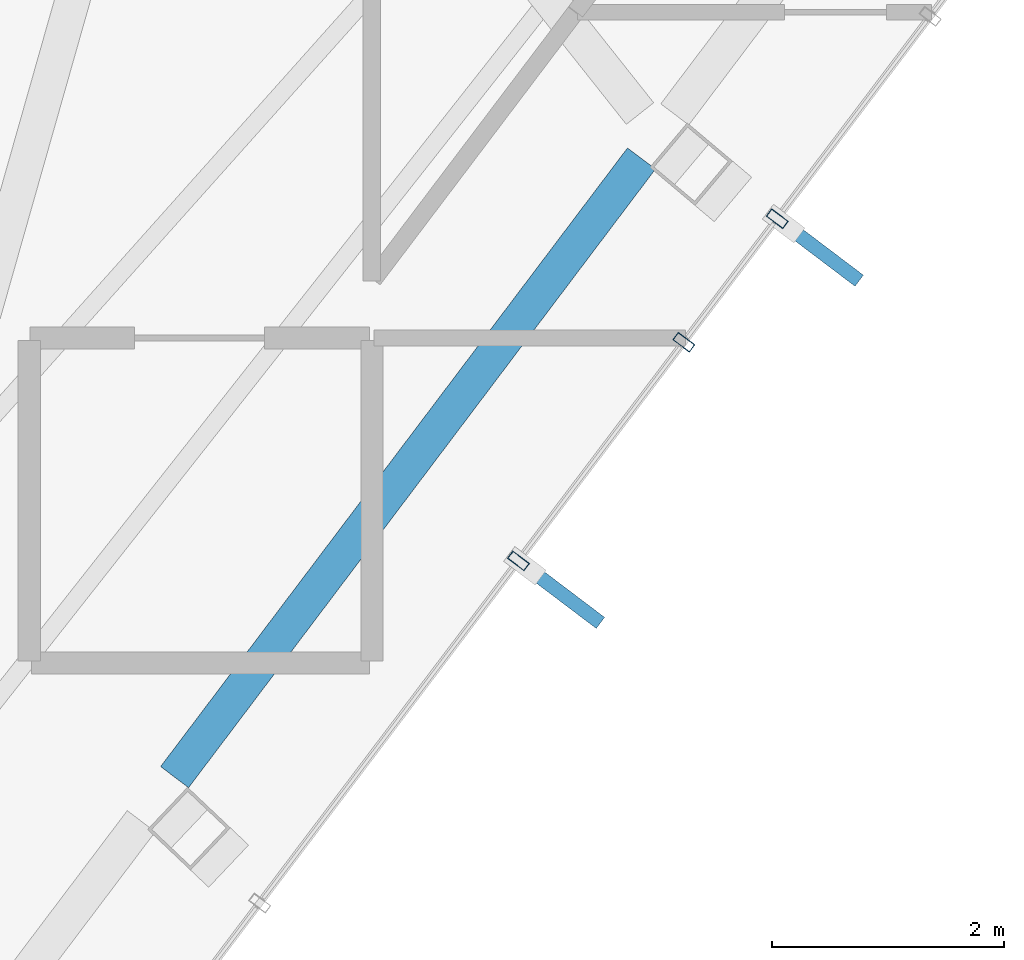
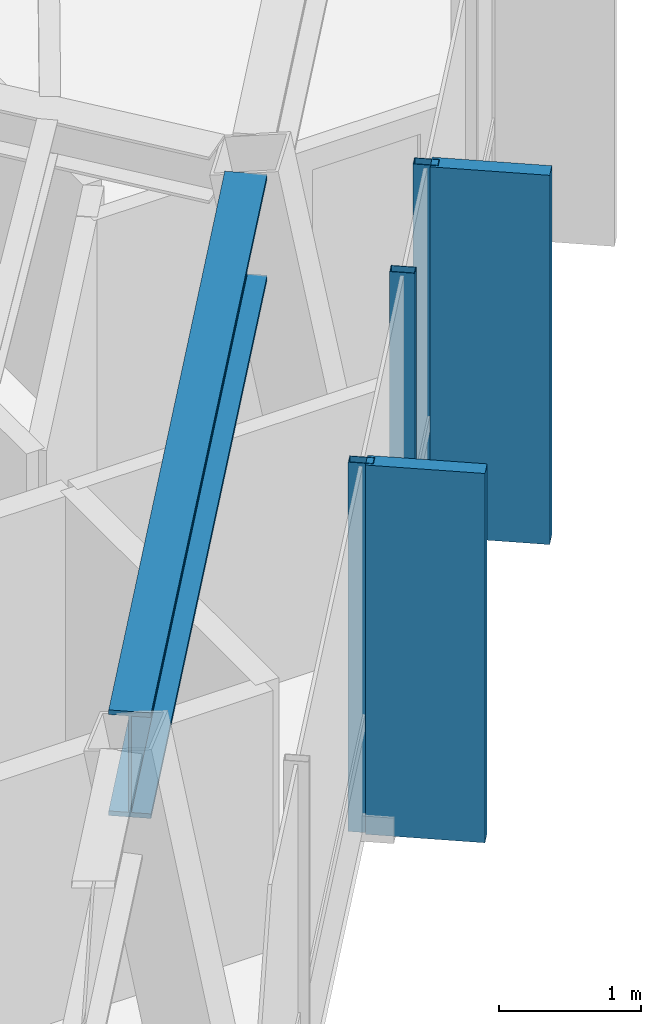
# One storey, part 16 of 25: 5 members, 1 beam, 1 element without a shape of its own.
"""IFC4 building model written with IfcOpenShell, lengths in metres."""

from ifc_helpers import new_model, si_unit, direction, frame, origin, origin_2d, place, context, subcontext, project, spatial, rectangle, hollow_rectangle, i_section, extrude, material, layer, layer_set, material_profile, profile_set, type_object, element, aggregate, save


model = new_model("IFC4")

# Units and contexts
model_context = context("Model", 3, precision=1e-05, world=origin(), true_north=direction((0.0, 1.0)))
body_context = subcontext(model_context, "Body", "Model", "MODEL_VIEW")
ifc_project = project(units=[si_unit("LENGTHUNIT", "METRE"), si_unit("AREAUNIT", "SQUARE_METRE"), si_unit("VOLUMEUNIT", "CUBIC_METRE"), si_unit("PLANEANGLEUNIT", "RADIAN"), si_unit("MASSUNIT", "GRAM", prefix="KILO")], contexts=[model_context])

# Site, building, storey
site_placement = place(None, origin())
site = spatial("IfcSite", under=ifc_project, at=site_placement, CompositionType="ELEMENT")
building_placement = place(site_placement, origin())
building = spatial("IfcBuilding", under=site, at=building_placement, Name="Zarrinselat Tower", CompositionType="ELEMENT")
storey_placement = place(building_placement, frame((0.0, 0.0, 275.39990234375)))
storey = spatial("IfcBuildingStorey", under=building, at=storey_placement, Name="L70", CompositionType="ELEMENT", Elevation=275.39990234375)

# Beam
ifc_material_1 = material(Name="Steel S460M", Category="steel")
ifc_material_profile_1 = material_profile(ifc_material_1, i_section(OverallWidth=0.302001953125, OverallDepth=0.909912109375, WebThickness=0.02099609375, FlangeThickness=0.0400390625, at=origin_2d()), Name="HEM 900")
ifc_profile_set_1 = profile_set([ifc_material_profile_1], Name="Steel S460M")
beam_type = type_object("IfcBeamType", Name="BM-HEM900", PredefinedType="BEAM", material=ifc_profile_set_1)
beam_placement = place(storey_placement, frame((46.6513671875, 26.367919921875, 2.72509765625), z_axis=(0.602442952079, 0.798161944401, 0.0), x_axis=(-0.798161944401, 0.602442952079, 0.0)))
element("IfcBeam", 1, at=beam_placement, inside=storey, type_object=beam_type, Name="L70 Perimeter Spandrel Girder SP12", PredefinedType="BEAM", context=body_context, shape_type="SweptSolid", body=[
    extrude(i_section(OverallWidth=0.302001953125, OverallDepth=0.909912109375, WebThickness=0.02099609375, FlangeThickness=0.0400390625, at=origin_2d()), origin(), (0.0, 0.0, 1.0), 6.676025390625),
])

# Curtain wall, members
ifc_material_2 = material(Name="Extruded Aluminium Alloy EN AW-6063 T6", Category="aluminium")
ifc_layer = layer(ifc_material_2, 0.199951171875)
ifc_layer_set = layer_set([ifc_layer], Name="Extruded Aluminium Alloy EN AW-6063 T6")
curtain_wall_type = type_object("IfcCurtainWallType", Name="CWS-BLADE", PredefinedType="NOTDEFINED", material=ifc_layer_set)
curtain_wall_placement = place(storey_placement, origin())
curtain_wall = element("IfcCurtainWall", 2, at=curtain_wall_placement, inside=storey, type_object=curtain_wall_type, Name="L70 Unitised Curtain Wall CW-L70-E05", PredefinedType="NOTDEFINED")
ifc_material_3 = material(Name="Extruded Aluminium Alloy EN AW-6063 T6", Category="aluminium")
ifc_material_profile_2 = material_profile(ifc_material_3, hollow_rectangle(XDim=0.080078125, YDim=0.179931640625, WallThickness=0.0048828125, at=origin_2d()), Name="RHS 180x80x5")
ifc_profile_set_2 = profile_set([ifc_material_profile_2], Name="Extruded Aluminium Alloy EN AW-6063 T6")
member_type_1 = type_object("IfcMemberType", Name="MEM-CW-MUL", PredefinedType="MULLION", material=ifc_profile_set_2)
member_1_placement = place(storey_placement, frame((49.61376953125, 28.230224609375, 0.0), z_axis=(0.0, 0.0, 1.0), x_axis=(0.603169586453, 0.797612970041, 0.0)))
member_1 = element("IfcMember", 3, at=member_1_placement, type_object=member_type_1, Name="CW-L70-E05 Mullion 3", PredefinedType="MULLION", context=body_context, shape_type="SweptSolid", body=[
    extrude(hollow_rectangle(XDim=0.080078125, YDim=0.179931640625, WallThickness=0.0048828125, at=origin_2d()), origin(), (0.0, 0.0, 1.0), 3.18017578125),
])
member_2_placement = place(storey_placement, frame((51.0380859375, 30.11376953125, 0.0), z_axis=(0.0, 0.0, 1.0), x_axis=(0.603169586453, 0.797612970041, 0.0)))
member_2 = element("IfcMember", 4, at=member_2_placement, type_object=member_type_1, Name="CW-L70-E05 Mullion 4", PredefinedType="MULLION", context=body_context, shape_type="SweptSolid", body=[
    extrude(hollow_rectangle(XDim=0.080078125, YDim=0.179931640625, WallThickness=0.0048828125, at=origin_2d()), origin(), (0.0, 0.0, 1.0), 3.18017578125),
])
member_3_placement = place(storey_placement, frame((51.8427734375, 31.177490234375, 0.0), z_axis=(0.0, 0.0, 1.0), x_axis=(0.603169586453, 0.797612970041, 0.0)))
member_3 = element("IfcMember", 5, at=member_3_placement, type_object=member_type_1, Name="CW-L70-E05 Mullion 5", PredefinedType="MULLION", context=body_context, shape_type="SweptSolid", body=[
    extrude(hollow_rectangle(XDim=0.080078125, YDim=0.179931640625, WallThickness=0.0048828125, at=origin_2d()), origin(), (0.0, 0.0, 1.0), 3.18017578125),
])
ifc_material_4 = material(Name="Honed Cream Travertine Stone", Category="masonry")
ifc_material_profile_3 = material_profile(ifc_material_4, rectangle(XDim=0.1201171875, YDim=0.85009765625, at=origin_2d()), Name="FIN 850x120")
ifc_profile_set_3 = profile_set([ifc_material_profile_3], Name="Honed Cream Travertine Stone")
member_type_2 = type_object("IfcMemberType", Name="MEM-STONE-FIN", PredefinedType="USERDEFINED", material=ifc_profile_set_3)
member_4_placement = place(storey_placement, frame((49.980712890625, 27.95263671875, 0.0), z_axis=(0.0, 0.0, 1.0), x_axis=(-0.603169586453, -0.797612970041, 0.0)))
member_4 = element("IfcMember", 6, at=member_4_placement, type_object=member_type_2, Name="L70 Stone Shading Fin CW-L70-E05-03", ObjectType="FIN", PredefinedType="USERDEFINED", context=body_context, shape_type="SweptSolid", body=[
    extrude(rectangle(XDim=0.1201171875, YDim=0.85009765625, at=origin_2d()), origin(), (0.0, 0.0, 1.0), 3.18017578125),
])
member_5_placement = place(storey_placement, frame((52.209716796875, 30.900146484375, 0.0), z_axis=(0.0, 0.0, 1.0), x_axis=(-0.603169586453, -0.797612970041, 0.0)))
member_5 = element("IfcMember", 7, at=member_5_placement, type_object=member_type_2, Name="L70 Stone Shading Fin CW-L70-E05-05", ObjectType="FIN", PredefinedType="USERDEFINED", context=body_context, shape_type="SweptSolid", body=[
    extrude(rectangle(XDim=0.1201171875, YDim=0.85009765625, at=origin_2d()), origin(), (0.0, 0.0, 1.0), 3.18017578125),
])
aggregate(curtain_wall, [member_1, member_4, member_2, member_3, member_5])

save(model, "model.ifc")
